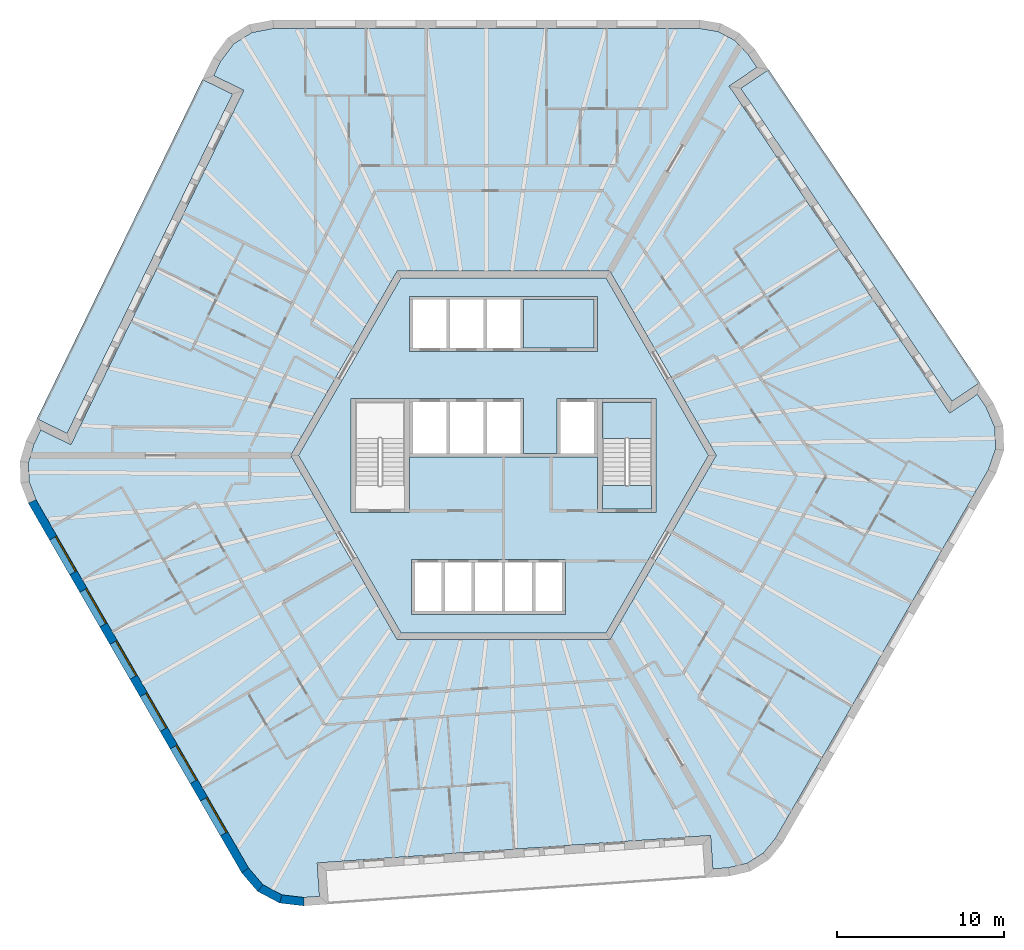
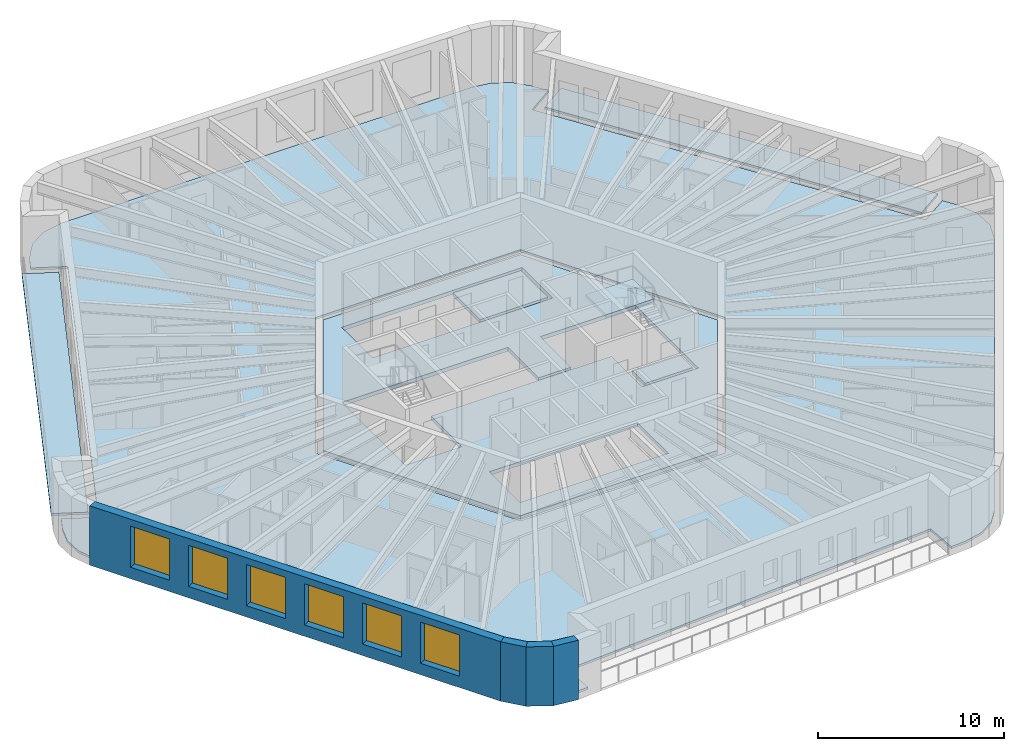
# One storey, part 2 of 12: 7 slabs, 6 windows, 4 walls, 6 openings, 1 element without a shape of its own.
"""IFC4 building model written with IfcOpenShell, lengths in metres."""

import ifcopenshell
import ifcopenshell.guid

model = None  # the IFC model being written
_history = None  # IfcOwnerHistory: only IFC2X3 demands one
_inside = {}  # id of a spatial element -> (the spatial element, [elements in it])
_under = {}  # id of a project, library or spatial element -> (it, [spatial elements below it])
_declared = {}  # id of a project -> (the project, [libraries it declares])
_typed = {}  # id of a type object -> (the type object, [elements of that type])
_made_of = {}  # id of a material, layer set ... -> (it, [elements and type objects made of it])


def new_model(schema):
    """Start an empty IFC model of exactly this schema.

    Asked for "IFC4X3", IfcOpenShell would pick the latest addendum, in which some entities
    have other attributes; the version numbers below select the first issue.
    IFC2X3 requires an IfcOwnerHistory on every rooted entity: one is made here for all.
    """
    global model, _history
    if schema == "IFC4X3":
        model = ifcopenshell.file(schema_version=(4, 3, 0, 0))
    else:
        model = ifcopenshell.file(schema=schema)
    _inside.clear()
    _under.clear()
    _declared.clear()
    _typed.clear()
    _made_of.clear()
    _history = None
    if model.schema == "IFC2X3":
        org = make("IfcOrganization", Name="unknown")
        user = make(
            "IfcPersonAndOrganization",
            ThePerson=make("IfcPerson", FamilyName="unknown"),
            TheOrganization=org,
        )
        app = make(
            "IfcApplication",
            ApplicationDeveloper=org,
            Version="unknown",
            ApplicationFullName="unknown",
            ApplicationIdentifier="unknown",
        )
        _history = make(
            "IfcOwnerHistory",
            OwningUser=user,
            OwningApplication=app,
            ChangeAction="ADDED",
            CreationDate=0,
        )
    return model


def make(cls, **values):
    """One entity of the class cls with the attributes given. An attribute that is None is left unset."""
    return model.create_entity(
        cls, **{name: value for name, value in values.items() if value is not None}
    )


def rooted(cls, **values):
    """An entity with a GlobalId (a new one), such as an element, a storey or a relation."""
    return make(cls, GlobalId=ifcopenshell.guid.new(), OwnerHistory=_history, **values)


def si_unit(unit_type, name, prefix=None):
    """IfcSIUnit, for example si_unit("LENGTHUNIT", "METRE", prefix="MILLI")."""
    return make("IfcSIUnit", UnitType=unit_type, Prefix=prefix, Name=name)


def assignment(units):
    """IfcUnitAssignment: the units of a project."""
    return None if units is None else make("IfcUnitAssignment", Units=units)


def point(xyz):
    """IfcCartesianPoint."""
    return None if xyz is None else make("IfcCartesianPoint", Coordinates=xyz)


def direction(xyz):
    """IfcDirection."""
    return None if xyz is None else make("IfcDirection", DirectionRatios=xyz)


def frame(location, z_axis=None, x_axis=None):
    """IfcAxis2Placement3D, a coordinate frame: its origin and axes. An axis left out is left unset."""
    return make(
        "IfcAxis2Placement3D",
        Location=point(location),
        Axis=direction(z_axis),
        RefDirection=direction(x_axis),
    )


def frame_2d(location, x_axis=None):
    """IfcAxis2Placement2D, a coordinate frame in the plane: its origin and x axis."""
    return make(
        "IfcAxis2Placement2D", Location=point(location), RefDirection=direction(x_axis)
    )


def origin():
    """The frame at (0, 0, 0) with its axes left unset."""
    return frame((0.0, 0.0, 0.0))


def place(relative_to, where):
    """IfcLocalPlacement: puts the frame where relative to a parent placement (None: the world)."""
    return make(
        "IfcLocalPlacement", PlacementRelTo=relative_to, RelativePlacement=where
    )


def context(
    kind, dimensions, precision=None, world=None, true_north=None, identifier=None
):
    """IfcGeometricRepresentationContext, for example the 3D "Model" context."""
    return make(
        "IfcGeometricRepresentationContext",
        ContextIdentifier=identifier,
        ContextType=kind,
        CoordinateSpaceDimension=dimensions,
        Precision=precision,
        WorldCoordinateSystem=world,
        TrueNorth=true_north,
    )


def subcontext(parent, identifier, kind, view, scale=None):
    """IfcGeometricRepresentationSubContext, for example "Body" below "Model"."""
    return make(
        "IfcGeometricRepresentationSubContext",
        ContextIdentifier=identifier,
        ContextType=kind,
        ParentContext=parent,
        TargetScale=scale,
        TargetView=view,
    )


def project(units=None, contexts=None):
    """IfcProject with its units and contexts."""
    return rooted(
        "IfcProject",
        Name="project",
        RepresentationContexts=contexts,
        UnitsInContext=assignment(units),
    )


def spatial(cls, under=None, at=None, **own):
    """A site, building, storey or space (cls), placed at a placement, below another one or the project."""
    s = rooted(cls, ObjectPlacement=at, **own)
    if under is not None:
        _under.setdefault(under.id(), (under, []))[1].append(s)
    return s


def polyline(points):
    """IfcPolyline through the points."""
    return make("IfcPolyline", Points=[point(p) for p in points])


def profile(cls, at=None, kind="AREA", **sizes):
    """A parametric profile (cls). Its sizes go by their IFC names, for example OverallWidth=200.0."""
    return make(cls, ProfileType=kind, Position=at, **sizes)


def rectangle(**sizes):
    """IfcRectangleProfileDef."""
    return profile("IfcRectangleProfileDef", **sizes)


def outline(outer, holes=None, kind="AREA"):
    """IfcArbitraryClosedProfileDef: a profile drawn as a closed curve; with holes, ...WithVoids."""
    if holes is None:
        return make("IfcArbitraryClosedProfileDef", ProfileType=kind, OuterCurve=outer)
    return make(
        "IfcArbitraryProfileDefWithVoids",
        ProfileType=kind,
        OuterCurve=outer,
        InnerCurves=holes,
    )


def extrude(swept, where, along, depth):
    """IfcExtrudedAreaSolid: the profile swept, set in the frame where, extruded along a direction by depth."""
    return make(
        "IfcExtrudedAreaSolid",
        SweptArea=swept,
        Position=where,
        ExtrudedDirection=direction(along),
        Depth=depth,
    )


def shape(context_of_items, identifier, shape_type, items):
    """IfcShapeRepresentation: the items that make up one representation, for example the "Body"."""
    return make(
        "IfcShapeRepresentation",
        ContextOfItems=context_of_items,
        RepresentationIdentifier=identifier,
        RepresentationType=shape_type,
        Items=items,
    )


def material(Name=None, Category=None):
    """IfcMaterial."""
    return make("IfcMaterial", Name=Name, Category=Category)


def layer(
    of_material, thickness, ventilated=None, Name=None, Category=None, Priority=None
):
    """IfcMaterialLayer: one layer of a wall or slab, of a material (None: an air gap)."""
    return make(
        "IfcMaterialLayer",
        Material=of_material,
        LayerThickness=thickness,
        IsVentilated=ventilated,
        Name=Name,
        Category=Category,
        Priority=Priority,
    )


def layer_set(layers, Name=None):
    """IfcMaterialLayerSet."""
    return make("IfcMaterialLayerSet", MaterialLayers=layers, LayerSetName=Name)


def made_of(thing, what):
    """Note that an element or type object is made of a material, layer set ...; save() writes the relation."""
    if what is not None:
        _made_of.setdefault(what.id(), (what, []))[1].append(thing)
    return thing


def type_object(cls, material=None, **own):
    """A type object (cls), such as IfcWallType, which elements share."""
    return made_of(rooted(cls, **own), material)


def element(
    cls,
    number,
    at=None,
    inside=None,
    cuts=None,
    type_object=None,
    material=None,
    context=None,
    identifier="Body",
    shape_type=None,
    held_by="IfcProductDefinitionShape",
    body=None,
    shapes=None,
    **own,
):
    """One element of the class cls, such as IfcWall. Its Tag is "e" and its number.

    at: its placement. inside: the storey or other place that contains it. cuts: it is an
    opening in that element (IfcRelVoidsElement). A single representation is given by context,
    identifier, shape_type and body (its items); several are given by shapes. held_by: the class
    of the entity that holds the representations. save() writes the other relations.
    """
    e = rooted(cls, Tag="e%d" % number, ObjectPlacement=at, **own)
    if body is not None:
        shapes = [shape(context, identifier, shape_type, body)]
    if shapes is not None:
        e.Representation = make(held_by, Representations=shapes)
    if inside is not None:
        _inside.setdefault(inside.id(), (inside, []))[1].append(e)
    if cuts is not None:
        rooted(
            "IfcRelVoidsElement", RelatingBuildingElement=cuts, RelatedOpeningElement=e
        )
    if type_object is not None:
        _typed.setdefault(type_object.id(), (type_object, []))[1].append(e)
    return made_of(e, material)


def fill(opening, filler):
    """IfcRelFillsElement: the door or window that sits in an opening."""
    return rooted(
        "IfcRelFillsElement",
        RelatingOpeningElement=opening,
        RelatedBuildingElement=filler,
    )


def aggregate(whole, parts):
    """IfcRelAggregates: a whole, such as a stair, and the parts it consists of."""
    return rooted("IfcRelAggregates", RelatingObject=whole, RelatedObjects=parts)


def save(model, path):
    """Write the relations noted so far, then the file.

    IfcRelAggregates (storeys below a building ...), IfcRelContainedInSpatialStructure (elements
    in a storey), IfcRelDefinesByType, IfcRelAssociatesMaterial and IfcRelDeclares: one each for
    every whole, place, type object, material and project.
    """
    for whole, parts in _under.values():
        aggregate(whole, parts)
    for where, things in _inside.values():
        rooted(
            "IfcRelContainedInSpatialStructure",
            RelatedElements=things,
            RelatingStructure=where,
        )
    for kind, things in _typed.values():
        rooted("IfcRelDefinesByType", RelatedObjects=things, RelatingType=kind)
    for what, things in _made_of.values():
        rooted("IfcRelAssociatesMaterial", RelatedObjects=things, RelatingMaterial=what)
    for by, libraries in _declared.values():
        rooted("IfcRelDeclares", RelatingContext=by, RelatedDefinitions=libraries)
    model.write(path)


model = new_model("IFC4")

# Units and contexts
model_context = context("Model", 3, precision=1e-05, world=origin(), true_north=direction((0.0, 1.0)))
body_context = subcontext(model_context, "Body", "Model", "MODEL_VIEW")
ifc_project = project(units=[si_unit("LENGTHUNIT", "METRE"), si_unit("AREAUNIT", "SQUARE_METRE"), si_unit("VOLUMEUNIT", "CUBIC_METRE"), si_unit("PLANEANGLEUNIT", "RADIAN"), si_unit("MASSUNIT", "GRAM", prefix="KILO")], contexts=[model_context])

# Site, building, storey
site_placement = place(None, origin())
site = spatial("IfcSite", under=ifc_project, at=site_placement, CompositionType="ELEMENT")
building_placement = place(site_placement, origin())
building = spatial("IfcBuilding", under=site, at=building_placement, Name="Tarnside Tower", CompositionType="ELEMENT")
storey_placement = place(building_placement, frame((0.0, 0.0, 283.5)))
storey = spatial("IfcBuildingStorey", under=building, at=storey_placement, Name="L68", CompositionType="ELEMENT", Elevation=283.5)

# Slabs
ifc_material_1 = material(Name="Concrete C35/45", Category="concrete")
ifc_layer_1 = layer(ifc_material_1, 0.14990234375)
ifc_layer_set_1 = layer_set([ifc_layer_1], Name="Composite floor slab 150")
slab_type_1 = type_object("IfcSlabType", Name="Composite floor slab 150", PredefinedType="FLOOR", material=ifc_layer_set_1)
slab_1_placement = place(storey_placement, frame((0.0, 0.0, -0.14990234375)))
element("IfcSlab", 1, at=slab_1_placement, inside=storey, type_object=slab_type_1, Name="Floor slab L68", PredefinedType="FLOOR", context=body_context, shape_type="SweptSolid", body=[
    extrude(outline(polyline([(12.81689453125, 25.312744140625), (13.818115234375, 24.7802734375), (14.610595703125, 23.940185546875), (15.130615234375, 23.169677734375), (13.472412109375, 22.05126953125), (26.638427734375, 2.53173828125), (28.29638671875, 3.650146484375), (28.814697265625, 2.8818359375), (29.336669921875, 1.671875), (29.3818359375, 0.378662109375), (28.945556640625, -0.864990234375), (16.2451171875, -22.86279296875), (15.51318359375, -23.756103515625), (14.55126953125, -24.35693359375), (13.427490234375, -24.623291015625), (12.500244140625, -24.688232421875), (12.360595703125, -22.693115234375), (-11.126708984375, -24.33544921875), (-10.9873046875, -26.33056640625), (-11.91162109375, -26.395263671875), (-13.220458984375, -26.2421875), (-14.363037109375, -25.634765625), (-15.2216796875, -24.635009765625), (-27.922119140625, -2.63720703125), (-28.329833984375, -1.556640625), (-28.369384765625, -0.42333984375), (-28.0380859375, 0.68310546875), (-27.630615234375, 1.5185546875), (-25.8330078125, 0.641845703125), (-15.51171875, 21.8037109375), (-17.309326171875, 22.680419921875), (-16.903076171875, 23.51318359375), (-16.1162109375, 24.5703125), (-15.018798828125, 25.256103515625), (-13.723876953125, 25.5), (11.67724609375, 25.5), (12.81689453125, 25.312744140625)]), holes=[polyline([(-12.70166015625, 0.0), (-6.350830078125, -11.0), (6.350830078125, -11.0), (12.70166015625, 0.0), (6.350830078125, 11.0), (-6.350830078125, 11.0), (-12.70166015625, 0.0)])]), origin(), (0.0, 0.0, 1.0), 0.14990234375),
])
ifc_material_2 = material(Name="Concrete C40/50", Category="concrete")
ifc_layer_2 = layer(ifc_material_2, 0.25)
ifc_layer_set_2 = layer_set([ifc_layer_2], Name="Core slab C40/50")
slab_type_2 = type_object("IfcSlabType", Name="Core slab C40/50", PredefinedType="FLOOR", material=ifc_layer_set_2)
slab_2_placement = place(storey_placement, frame((0.0, 0.0, -0.25)))
element("IfcSlab", 2, at=slab_2_placement, inside=storey, type_object=slab_type_2, Name="L68 core floor slab 1", PredefinedType="FLOOR", context=body_context, shape_type="SweptSolid", body=[
    extrude(outline(polyline([(6.119873046875, 10.60009765625), (12.23974609375, 0.0), (6.119873046875, -10.60009765625), (-6.119873046875, -10.60009765625), (-12.23974609375, 0.0), (-6.119873046875, 10.60009765625), (6.119873046875, 10.60009765625)]), holes=[polyline([(-5.5, -9.5), (3.699951171875, -9.5), (3.699951171875, -9.300048828125), (3.699951171875, -6.39990234375), (3.699951171875, -6.199951171875), (-5.5, -6.199951171875), (-5.5, -6.39990234375), (-5.5, -9.300048828125), (-5.5, -9.5)]), polyline([(-5.60009765625, -3.39990234375), (-5.60009765625, -0.10009765625), (5.60009765625, -0.10009765625), (5.60009765625, -3.39990234375), (5.89990234375, -3.39990234375), (8.85009765625, -3.39990234375), (9.10009765625, -3.39990234375), (9.10009765625, 3.39990234375), (8.85009765625, 3.39990234375), (5.89990234375, 3.39990234375), (5.60009765625, 3.39990234375), (3.39990234375, 3.39990234375), (3.199951171875, 3.39990234375), (3.199951171875, 0.10009765625), (1.199951171875, 0.10009765625), (1.199951171875, 3.39990234375), (1.0, 3.39990234375), (-5.60009765625, 3.39990234375), (-5.89990234375, 3.39990234375), (-8.85009765625, 3.39990234375), (-9.10009765625, 3.39990234375), (-9.10009765625, -3.39990234375), (-8.85009765625, -3.39990234375), (-5.89990234375, -3.39990234375), (-5.60009765625, -3.39990234375)]), polyline([(-5.60009765625, 6.199951171875), (5.60009765625, 6.199951171875), (5.60009765625, 6.39990234375), (5.60009765625, 9.300048828125), (5.60009765625, 9.5), (-5.60009765625, 9.5), (-5.60009765625, 9.300048828125), (-5.60009765625, 6.39990234375), (-5.60009765625, 6.199951171875)])]), origin(), (0.0, 0.0, 1.0), 0.25),
])
slab_3_placement = place(storey_placement, frame((0.0, 0.0, -0.25)))
element("IfcSlab", 3, at=slab_3_placement, inside=storey, type_object=slab_type_2, Name="L68 core floor slab 3", PredefinedType="FLOOR", context=body_context, shape_type="SweptSolid", body=[
    extrude(outline(polyline([(5.89990234375, -1.800048828125), (8.85009765625, -1.800048828125), (8.85009765625, -3.199951171875), (5.89990234375, -3.199951171875), (5.89990234375, -1.800048828125)])), origin(), (0.0, 0.0, 1.0), 0.25),
])
slab_4_placement = place(storey_placement, frame((0.0, 0.0, -0.25)))
element("IfcSlab", 4, at=slab_4_placement, inside=storey, type_object=slab_type_2, Name="L68 core floor slab 4", PredefinedType="FLOOR", context=body_context, shape_type="SweptSolid", body=[
    extrude(outline(polyline([(5.39990234375, 6.39990234375), (1.199951171875, 6.39990234375), (1.199951171875, 9.300048828125), (5.39990234375, 9.300048828125), (5.39990234375, 6.39990234375)])), origin(), (0.0, 0.0, 1.0), 0.25),
])
ifc_material_3 = material(Name="Timber decking", Category="wood")
ifc_layer_3 = layer(ifc_material_3, 0.0400390625)
ifc_material_4 = material(Name="Concrete C60/75 precast", Category="concrete")
ifc_layer_4 = layer(ifc_material_4, 0.110107421875)
ifc_layer_set_3 = layer_set([ifc_layer_3, ifc_layer_4], Name="Loggia deck 150")
slab_type_3 = type_object("IfcSlabType", Name="Loggia deck 150", PredefinedType="FLOOR", material=ifc_layer_set_3)
slab_5_placement = place(storey_placement, frame((0.0, 0.0, -0.14990234375)))
element("IfcSlab", 5, at=slab_5_placement, inside=storey, type_object=slab_type_3, Name="Loggia deck L68 F2", PredefinedType="FLOOR", context=body_context, shape_type="SweptSolid", body=[
    extrude(outline(polyline([(-16.180419921875, 21.573486328125), (-26.063232421875, 1.310302734375), (-27.86083984375, 2.187255859375), (-17.97802734375, 22.4501953125), (-16.180419921875, 21.573486328125)])), origin(), (0.0, 0.0, 1.0), 0.14990234375),
])
slab_6_placement = place(storey_placement, frame((0.0, 0.0, -0.14990234375)))
element("IfcSlab", 6, at=slab_6_placement, inside=storey, type_object=slab_type_3, Name="Loggia deck L68 F6", PredefinedType="FLOOR", context=body_context, shape_type="SweptSolid", body=[
    extrude(outline(polyline([(26.7734375, 3.225830078125), (14.16650390625, 21.916259765625), (15.82470703125, 23.03466796875), (28.431396484375, 4.34423828125), (26.7734375, 3.225830078125)])), origin(), (0.0, 0.0, 1.0), 0.14990234375),
])

# Stair, slab
stair_type = type_object("IfcStairType", Name="Exit stair 1400 clear", PredefinedType="HALF_TURN_STAIR", material=ifc_material_2)
stair_placement = place(storey_placement, origin())
stair = element("IfcStair", 7, at=stair_placement, inside=storey, type_object=stair_type, Name="L68 Exit stair 1", PredefinedType="HALF_TURN_STAIR")
ifc_layer_5 = layer(ifc_material_2, 0.199951171875)
ifc_layer_set_4 = layer_set([ifc_layer_5], Name="Stair landing 200 C40/50")
slab_type_4 = type_object("IfcSlabType", Name="Stair landing 200 C40/50", PredefinedType="LANDING", material=ifc_layer_set_4)
slab_7_placement = place(storey_placement, frame((0.0, 0.0, 1.75)))
slab_7 = element("IfcSlab", 8, at=slab_7_placement, type_object=slab_type_4, Name="ST1 landing 1", PredefinedType="LANDING", context=body_context, shape_type="SweptSolid", body=[
    extrude(outline(polyline([(8.85009765625, 1.0), (8.85009765625, 3.199951171875), (5.89990234375, 3.199951171875), (5.89990234375, 1.0), (8.85009765625, 1.0)])), origin(), (0.0, 0.0, 1.0), 0.199951171875),
])
aggregate(stair, [slab_7])

# Wall, openings, windows
ifc_material_5 = material(Name="Facing brick", Category="masonry")
ifc_layer_6 = layer(ifc_material_5, 0.10205078125)
ifc_layer_7 = layer(ifc_material_4, 0.298095703125)
ifc_material_6 = material(Name="Mineral wool insulation")
ifc_layer_8 = layer(ifc_material_6, 0.10009765625)
ifc_layer_set_5 = layer_set([ifc_layer_6, ifc_layer_7, ifc_layer_8], Name="Tube wall 500 brick faced")
wall_type = type_object("IfcWallType", Name="Tube wall 500 brick faced", PredefinedType="SOLIDWALL", material=ifc_layer_set_5)
wall_1_placement = place(storey_placement, frame((-28.14892578125, -2.74462890625, -0.14990234375), z_axis=(0.0, 0.0, 1.0), x_axis=(0.500003737743, -0.866023245787, 0.0)))
wall_1 = element("IfcWall", 9, at=wall_1_placement, inside=storey, type_object=wall_type, Name="Tube wall L68 F3 flush 12", PredefinedType="SOLIDWALL", context=body_context, shape_type="SweptSolid", body=[
    extrude(outline(polyline([(-0.0205078125, -0.25), (25.468017578125, -0.25), (25.421142578125, 0.25), (0.0205078125, 0.25), (-0.0205078125, -0.25)])), origin(), (0.0, 0.0, 1.0), 3.89990234375),
])
opening_1_placement = place(wall_1_placement, frame((2.5224609375, 0.0, 0.75)))
opening_1 = element("IfcOpeningElement", 10, at=opening_1_placement, cuts=wall_1, Name="Opening WR", PredefinedType="OPENING", context=body_context, shape_type="SweptSolid", body=[
    extrude(rectangle(XDim=2.39990234375, YDim=2.699951171875, at=frame_2d((1.199951171875, 1.35009765625))), frame((0.0, 0.260009765625, 0.0), z_axis=(0.0, -1.0, 0.0), x_axis=(1.0, 0.0, 0.0)), (0.0, 0.0, 1.0), 0.52001953125),
])
opening_2_placement = place(wall_1_placement, frame((6.122314453125, 0.0, 0.75)))
opening_2 = element("IfcOpeningElement", 11, at=opening_2_placement, cuts=wall_1, Name="Opening WR", PredefinedType="OPENING", context=body_context, shape_type="SweptSolid", body=[
    extrude(rectangle(XDim=2.39990234375, YDim=2.699951171875, at=frame_2d((1.199951171875, 1.35009765625))), frame((0.0, 0.260009765625, 0.0), z_axis=(0.0, -1.0, 0.0), x_axis=(1.0, 0.0, 0.0)), (0.0, 0.0, 1.0), 0.52001953125),
])
opening_3_placement = place(wall_1_placement, frame((9.722412109375, 0.0, 0.75)))
opening_3 = element("IfcOpeningElement", 12, at=opening_3_placement, cuts=wall_1, Name="Opening WR", PredefinedType="OPENING", context=body_context, shape_type="SweptSolid", body=[
    extrude(rectangle(XDim=2.39990234375, YDim=2.699951171875, at=frame_2d((1.199951171875, 1.35009765625))), frame((0.0, 0.260009765625, 0.0), z_axis=(0.0, -1.0, 0.0), x_axis=(1.0, 0.0, 0.0)), (0.0, 0.0, 1.0), 0.52001953125),
])
opening_4_placement = place(wall_1_placement, frame((13.322509765625, 0.0, 0.75)))
opening_4 = element("IfcOpeningElement", 13, at=opening_4_placement, cuts=wall_1, Name="Opening WR", PredefinedType="OPENING", context=body_context, shape_type="SweptSolid", body=[
    extrude(rectangle(XDim=2.39990234375, YDim=2.699951171875, at=frame_2d((1.199951171875, 1.35009765625))), frame((0.0, 0.260009765625, 0.0), z_axis=(0.0, -1.0, 0.0), x_axis=(1.0, 0.0, 0.0)), (0.0, 0.0, 1.0), 0.52001953125),
])
opening_5_placement = place(wall_1_placement, frame((16.92236328125, 0.0, 0.75)))
opening_5 = element("IfcOpeningElement", 14, at=opening_5_placement, cuts=wall_1, Name="Opening WR", PredefinedType="OPENING", context=body_context, shape_type="SweptSolid", body=[
    extrude(rectangle(XDim=2.39990234375, YDim=2.699951171875, at=frame_2d((1.199951171875, 1.35009765625))), frame((0.0, 0.260009765625, 0.0), z_axis=(0.0, -1.0, 0.0), x_axis=(1.0, 0.0, 0.0)), (0.0, 0.0, 1.0), 0.52001953125),
])
opening_6_placement = place(wall_1_placement, frame((20.5224609375, 0.0, 0.75)))
opening_6 = element("IfcOpeningElement", 15, at=opening_6_placement, cuts=wall_1, Name="Opening WR", PredefinedType="OPENING", context=body_context, shape_type="SweptSolid", body=[
    extrude(rectangle(XDim=2.39990234375, YDim=2.699951171875, at=frame_2d((1.199951171875, 1.35009765625))), frame((0.0, 0.260009765625, 0.0), z_axis=(0.0, -1.0, 0.0), x_axis=(1.0, 0.0, 0.0)), (0.0, 0.0, 1.0), 0.52001953125),
])
ifc_material_7 = material(Name="Aluminium-framed double glazing", Category="aluminium")
window_type = type_object("IfcWindowType", Name="Residence window 2400 x 2700", PartitioningType="DOUBLE_PANEL_VERTICAL", PredefinedType="WINDOW", material=ifc_material_7)
window_1_placement = place(opening_1_placement, frame((0.0, 0.179931640625, 0.0)))
window_1 = element("IfcWindow", 16, at=window_1_placement, inside=storey, type_object=window_type, Name="E.WN.L68.F3.00", OverallHeight=2.699951171875, OverallWidth=2.39990234375, PartitioningType="DOUBLE_PANEL_VERTICAL", PredefinedType="WINDOW", context=body_context, shape_type="SweptSolid", body=[
    extrude(rectangle(XDim=2.39990234375, YDim=2.699951171875, at=frame_2d((1.199951171875, 1.35009765625))), frame((0.0, 0.030029296875, 0.0), z_axis=(0.0, -1.0, 0.0), x_axis=(1.0, 0.0, 0.0)), (0.0, 0.0, 1.0), 0.06005859375),
])
fill(opening_1, window_1)
window_2_placement = place(opening_2_placement, frame((0.0, 0.179931640625, 0.0)))
window_2 = element("IfcWindow", 17, at=window_2_placement, inside=storey, type_object=window_type, Name="E.WN.L68.F3.01", OverallHeight=2.699951171875, OverallWidth=2.39990234375, PartitioningType="DOUBLE_PANEL_VERTICAL", PredefinedType="WINDOW", context=body_context, shape_type="SweptSolid", body=[
    extrude(rectangle(XDim=2.39990234375, YDim=2.699951171875, at=frame_2d((1.199951171875, 1.35009765625))), frame((0.0, 0.030029296875, 0.0), z_axis=(0.0, -1.0, 0.0), x_axis=(1.0, 0.0, 0.0)), (0.0, 0.0, 1.0), 0.06005859375),
])
fill(opening_2, window_2)
window_3_placement = place(opening_3_placement, frame((0.0, 0.179931640625, 0.0)))
window_3 = element("IfcWindow", 18, at=window_3_placement, inside=storey, type_object=window_type, Name="E.WN.L68.F3.02", OverallHeight=2.699951171875, OverallWidth=2.39990234375, PartitioningType="DOUBLE_PANEL_VERTICAL", PredefinedType="WINDOW", context=body_context, shape_type="SweptSolid", body=[
    extrude(rectangle(XDim=2.39990234375, YDim=2.699951171875, at=frame_2d((1.199951171875, 1.35009765625))), frame((0.0, 0.030029296875, 0.0), z_axis=(0.0, -1.0, 0.0), x_axis=(1.0, 0.0, 0.0)), (0.0, 0.0, 1.0), 0.06005859375),
])
fill(opening_3, window_3)
window_4_placement = place(opening_4_placement, frame((0.0, 0.179931640625, 0.0)))
window_4 = element("IfcWindow", 19, at=window_4_placement, inside=storey, type_object=window_type, Name="E.WN.L68.F3.03", OverallHeight=2.699951171875, OverallWidth=2.39990234375, PartitioningType="DOUBLE_PANEL_VERTICAL", PredefinedType="WINDOW", context=body_context, shape_type="SweptSolid", body=[
    extrude(rectangle(XDim=2.39990234375, YDim=2.699951171875, at=frame_2d((1.199951171875, 1.35009765625))), frame((0.0, 0.030029296875, 0.0), z_axis=(0.0, -1.0, 0.0), x_axis=(1.0, 0.0, 0.0)), (0.0, 0.0, 1.0), 0.06005859375),
])
fill(opening_4, window_4)
window_5_placement = place(opening_5_placement, frame((0.0, 0.179931640625, 0.0)))
window_5 = element("IfcWindow", 20, at=window_5_placement, inside=storey, type_object=window_type, Name="E.WN.L68.F3.04", OverallHeight=2.699951171875, OverallWidth=2.39990234375, PartitioningType="DOUBLE_PANEL_VERTICAL", PredefinedType="WINDOW", context=body_context, shape_type="SweptSolid", body=[
    extrude(rectangle(XDim=2.39990234375, YDim=2.699951171875, at=frame_2d((1.199951171875, 1.35009765625))), frame((0.0, 0.030029296875, 0.0), z_axis=(0.0, -1.0, 0.0), x_axis=(1.0, 0.0, 0.0)), (0.0, 0.0, 1.0), 0.06005859375),
])
fill(opening_5, window_5)
window_6_placement = place(opening_6_placement, frame((0.0, 0.179931640625, 0.0)))
window_6 = element("IfcWindow", 21, at=window_6_placement, inside=storey, type_object=window_type, Name="E.WN.L68.F3.05", OverallHeight=2.699951171875, OverallWidth=2.39990234375, PartitioningType="DOUBLE_PANEL_VERTICAL", PredefinedType="WINDOW", context=body_context, shape_type="SweptSolid", body=[
    extrude(rectangle(XDim=2.39990234375, YDim=2.699951171875, at=frame_2d((1.199951171875, 1.35009765625))), frame((0.0, 0.030029296875, 0.0), z_axis=(0.0, -1.0, 0.0), x_axis=(1.0, 0.0, 0.0)), (0.0, 0.0, 1.0), 0.06005859375),
])
fill(opening_6, window_6)

# Walls
wall_2_placement = place(storey_placement, frame((-15.426513671875, -24.7802734375, -0.14990234375), z_axis=(0.0, 0.0, 1.0), x_axis=(0.651616566281, -0.758548515619, 0.0)))
element("IfcWall", 22, at=wall_2_placement, inside=storey, type_object=wall_type, Name="Tube wall L68 F3 chord 13", PredefinedType="SOLIDWALL", context=body_context, shape_type="SweptSolid", body=[
    extrude(outline(polyline([(-0.0234375, -0.25), (1.435302734375, -0.25), (1.341064453125, 0.25), (0.0234375, 0.25), (-0.0234375, -0.25)])), origin(), (0.0, 0.0, 1.0), 3.89990234375),
])
wall_3_placement = place(storey_placement, frame((-14.52197265625, -25.833251953125, -0.14990234375), z_axis=(0.0, 0.0, 1.0), x_axis=(0.882926676147, -0.469510899286, 0.0)))
element("IfcWall", 23, at=wall_3_placement, inside=storey, type_object=wall_type, Name="Tube wall L68 F3 chord 14", PredefinedType="SOLIDWALL", context=body_context, shape_type="SweptSolid", body=[
    extrude(outline(polyline([(-0.047119140625, -0.25), (1.435546875, -0.25), (1.34130859375, 0.25), (0.047119140625, 0.25), (-0.047119140625, -0.25)])), origin(), (0.0, 0.0, 1.0), 3.89990234375),
])
wall_4_placement = place(storey_placement, frame((-13.296142578125, -26.485107421875, -0.14990234375), z_axis=(0.0, 0.0, 1.0), x_axis=(0.993239161627, -0.116086036245, 0.0)))
element("IfcWall", 24, at=wall_4_placement, inside=storey, type_object=wall_type, Name="Tube wall L68 F3 chord 15", PredefinedType="SOLIDWALL", context=body_context, shape_type="SweptSolid", body=[
    extrude(outline(polyline([(-0.047119140625, -0.25), (1.411376953125, -0.25), (1.364501953125, 0.25), (0.047119140625, 0.25), (-0.047119140625, -0.25)])), origin(), (0.0, 0.0, 1.0), 3.89990234375),
])

save(model, "model.ifc")
